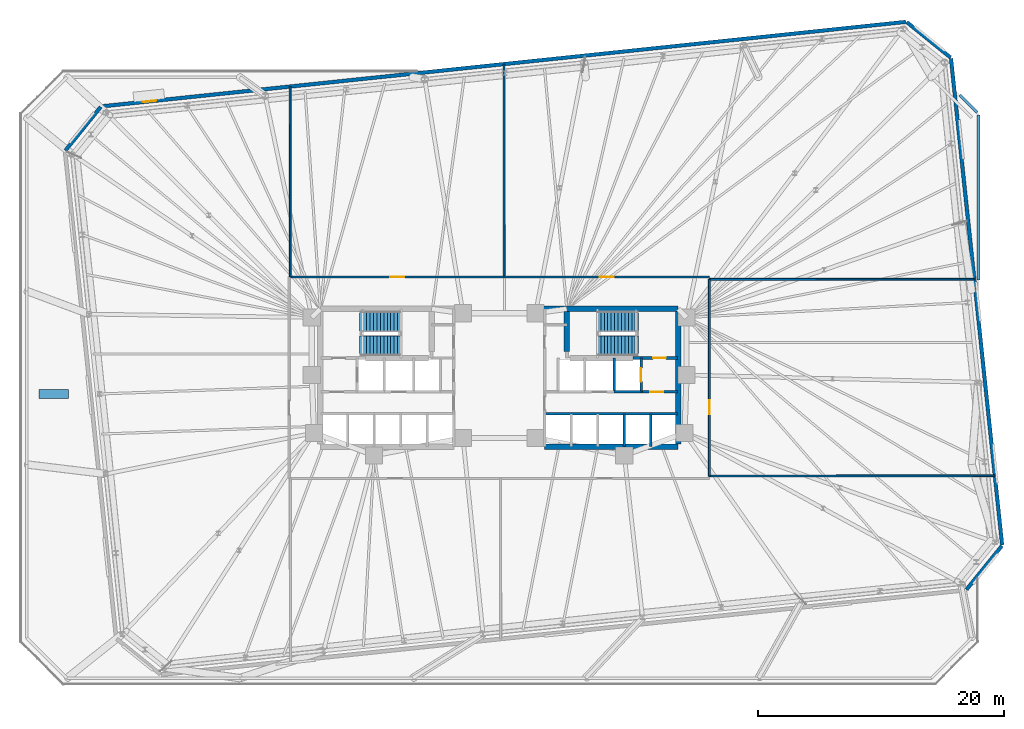
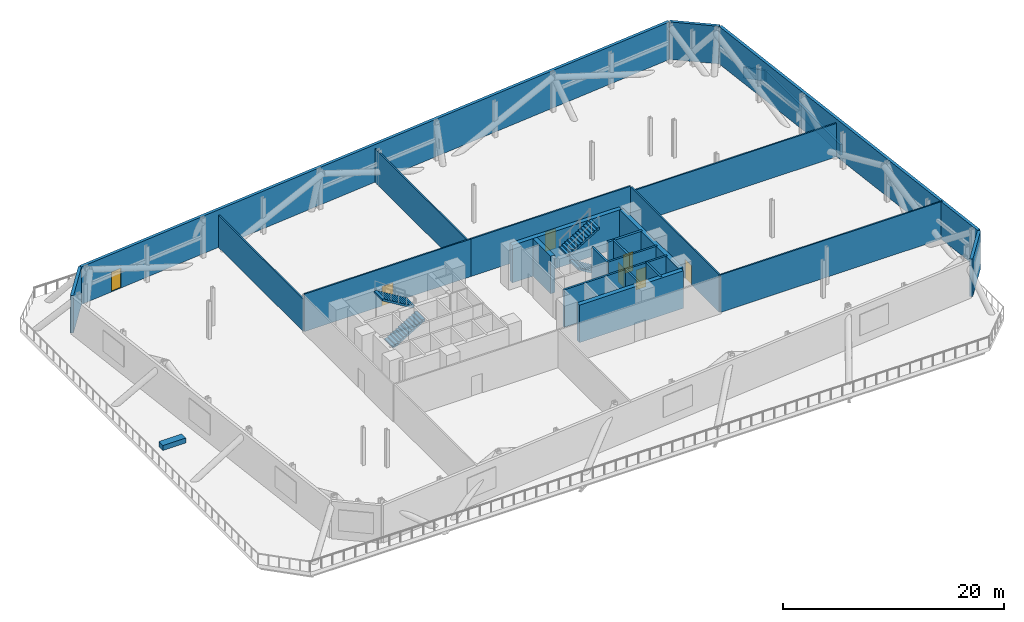
# One storey, part 15 of 17: 26 walls, 7 doors, 4 stair flights, 1 discrete accessory, 7 openings, 2 elements without a shape of their own.
"""IFC4 building model written with IfcOpenShell, lengths in metres."""

from ifc_helpers import new_model, si_unit, direction, frame, frame_2d, origin, origin_2d, place, context, subcontext, project, spatial, polyline, rectangle, outline, extrude, material, layer, layer_set, type_object, element, fill, aggregate, save


model = new_model("IFC4")

# Units and contexts
model_context = context("Model", 3, precision=1e-05, world=origin(), true_north=direction((0.0, 1.0)))
body_context = subcontext(model_context, "Body", "Model", "MODEL_VIEW")
ifc_project = project(units=[si_unit("LENGTHUNIT", "METRE"), si_unit("AREAUNIT", "SQUARE_METRE"), si_unit("VOLUMEUNIT", "CUBIC_METRE"), si_unit("PLANEANGLEUNIT", "RADIAN"), si_unit("MASSUNIT", "GRAM", prefix="KILO")], contexts=[model_context])

# Site, building, storey
site_placement = place(None, origin())
site = spatial("IfcSite", under=ifc_project, at=site_placement, CompositionType="ELEMENT")
building_placement = place(site_placement, origin())
building = spatial("IfcBuilding", under=site, at=building_placement, Name="Menara Jurai Vektor", CompositionType="ELEMENT")
storey_placement = place(building_placement, frame((0.0, 0.0, 78.800048828125)))
storey = spatial("IfcBuildingStorey", under=building, at=storey_placement, Name="L19", CompositionType="ELEMENT", Elevation=78.800048828125)

# Walls
ifc_material_1 = material(Name="Insulated Pale Aluminium Spandrel Wall", Category="aluminium")
ifc_layer_1 = layer(ifc_material_1, 0.300048828125)
ifc_layer_set_1 = layer_set([ifc_layer_1], Name="Insulated Pale Aluminium Spandrel Wall")
wall_type_1 = type_object("IfcWallType", Name="ENV-WALL-EXT300", PredefinedType="STANDARD", material=ifc_layer_set_1)
wall_1_placement = place(storey_placement, frame((38.028076171875, -17.243408203125, 0.0), z_axis=(0.0, 0.0, 1.0), x_axis=(0.629328651904, 0.777139271876, 0.0)))
element("IfcWall", 1, at=wall_1_placement, inside=storey, type_object=wall_type_1, Name="Plant Floor Enclosure Wall L19-02", PredefinedType="STANDARD", context=body_context, shape_type="SweptSolid", body=[
    extrude(rectangle(XDim=4.576904296875, YDim=0.300048828125, at=frame_2d((2.28857421875, 0.0))), origin(), (0.0, 0.0, 1.0), 4.14990234375),
])
wall_2_placement = place(storey_placement, frame((40.93212890625, -13.606689453125, 0.0), z_axis=(0.0, 0.0, 1.0), x_axis=(-0.104531231484, 0.994521604413, 0.0)))
element("IfcWall", 2, at=wall_2_placement, inside=storey, type_object=wall_type_1, Name="Plant Floor Enclosure Wall L19-03", PredefinedType="STANDARD", context=body_context, shape_type="SweptSolid", body=[
    extrude(rectangle(XDim=39.809814453125, YDim=0.300048828125, at=frame_2d((19.90478515625, 0.0))), origin(), (0.0, 0.0, 1.0), 4.14990234375),
])
wall_3_placement = place(storey_placement, frame((36.731201171875, 26.05810546875, 0.0), z_axis=(0.0, 0.0, 1.0), x_axis=(-0.777139271876, 0.629328651904, 0.0)))
element("IfcWall", 3, at=wall_3_placement, inside=storey, type_object=wall_type_1, Name="Plant Floor Enclosure Wall L19-04", PredefinedType="STANDARD", context=body_context, shape_type="SweptSolid", body=[
    extrude(rectangle(XDim=4.576904296875, YDim=0.300048828125, at=frame_2d((2.28857421875, 0.0))), origin(), (0.0, 0.0, 1.0), 4.14990234375),
])

# Wall, opening, door
wall_4_placement = place(storey_placement, frame((33.094482421875, 28.962158203125, 0.0), z_axis=(0.0, 0.0, 1.0), x_axis=(-0.994521682676, -0.104530486878, 0.0)))
wall_4 = element("IfcWall", 4, at=wall_4_placement, inside=storey, type_object=wall_type_1, Name="Plant Floor Enclosure Wall L19-05", PredefinedType="STANDARD", context=body_context, shape_type="SweptSolid", body=[
    extrude(rectangle(XDim=65.81005859375, YDim=0.300048828125, at=frame_2d((32.905029296875, 0.0))), origin(), (0.0, 0.0, 1.0), 4.14990234375),
])
opening_1_placement = place(wall_4_placement, frame((61.35009765625, 0.0, 0.0)))
opening_1 = element("IfcOpeningElement", 5, at=opening_1_placement, cuts=wall_4, Name="Opening TD-L19", PredefinedType="OPENING", context=body_context, shape_type="SweptSolid", body=[
    extrude(rectangle(XDim=1.10009765625, YDim=2.199951171875, at=frame_2d((0.550048828125, 1.10009765625))), frame((0.0, 0.16015625, 0.0), z_axis=(0.0, -1.0, 0.0), x_axis=(1.0, 0.0, 0.0)), (0.0, 0.0, 1.0), 0.320068359375),
])
ifc_material_2 = material(Name="Anodised Aluminium Glazed Terrace Door", Category="aluminium")
door_type_1 = type_object("IfcDoorType", Name="ENV-DOOR-TER110", OperationType="NOTDEFINED", PredefinedType="DOOR", material=ifc_material_2)
door_1_placement = place(opening_1_placement, frame((1.10009765625, 0.0, 0.0), z_axis=(0.0, 0.0, 1.0), x_axis=(-1.0, 0.0, 0.0)))
door_1 = element("IfcDoor", 6, at=door_1_placement, inside=storey, type_object=door_type_1, Name="Spiral Terrace Access Door L19", OperationType="SINGLE_SWING_LEFT", OverallHeight=2.199951171875, OverallWidth=1.10009765625, PredefinedType="DOOR", context=body_context, shape_type="SweptSolid", body=[
    extrude(rectangle(XDim=1.10009765625, YDim=2.199951171875, at=frame_2d((0.550048828125, 1.10009765625))), frame((0.0, 0.02490234375, 0.0), z_axis=(0.0, -1.0, 0.0), x_axis=(1.0, 0.0, 0.0)), (0.0, 0.0, 1.0), 0.050048828125),
])
fill(opening_1, door_1)

# Walls
wall_5_placement = place(storey_placement, frame((-32.427978515625, 22.04345703125, 0.0), z_axis=(0.0, 0.0, 1.0), x_axis=(-0.629328651904, -0.777139271876, 0.0)))
element("IfcWall", 7, at=wall_5_placement, inside=storey, type_object=wall_type_1, Name="Plant Floor Enclosure Wall L19-06", PredefinedType="STANDARD", context=body_context, shape_type="SweptSolid", body=[
    extrude(rectangle(XDim=4.576904296875, YDim=0.300048828125, at=frame_2d((2.28857421875, 0.0))), origin(), (0.0, 0.0, 1.0), 4.14990234375),
])
ifc_material_3 = material(Name="Concrete C40/50", Category="concrete")
ifc_layer_2 = layer(ifc_material_3, 0.219970703125)
ifc_layer_set_2 = layer_set([ifc_layer_2], Name="Concrete C40/50")
wall_type_2 = type_object("IfcWallType", Name="ENV-WALL-PARAPET220", PredefinedType="PARAPET", material=ifc_layer_set_2)
wall_6_placement = place(storey_placement, frame((39.0, 7.9580078125, 0.0), z_axis=(0.0, 0.0, 1.0), x_axis=(0.0, 1.0, 0.0)))
element("IfcWall", 8, at=wall_6_placement, inside=storey, type_object=wall_type_2, Name="Roof Parapet Wall L19-SETBACK-02", PredefinedType="PARAPET", context=body_context, shape_type="SweptSolid", body=[
    extrude(rectangle(XDim=13.4208984375, YDim=0.219970703125, at=frame_2d((6.71044921875, 0.0))), origin(), (0.0, 0.0, 1.0), 1.199951171875),
])
wall_7_placement = place(storey_placement, frame((38.914306640625, 21.585693359375, 0.0), z_axis=(0.0, 0.0, 1.0), x_axis=(-0.707106781187, 0.707106781187, 0.0)))
element("IfcWall", 9, at=wall_7_placement, inside=storey, type_object=wall_type_2, Name="Roof Parapet Wall L19-SETBACK-03", PredefinedType="PARAPET", context=body_context, shape_type="SweptSolid", body=[
    extrude(rectangle(XDim=2.02734375, YDim=0.219970703125, at=frame_2d((1.013671875, 0.0))), origin(), (0.0, 0.0, 1.0), 1.199951171875),
])

# Wall, opening, door
ifc_layer_3 = layer(ifc_material_3, 0.25)
ifc_layer_set_3 = layer_set([ifc_layer_3], Name="Concrete C40/50")
wall_type_3 = type_object("IfcWallType", Name="INT-WALL-CORE-250", PredefinedType="STANDARD", material=ifc_layer_set_3)
wall_8_placement = place(storey_placement, frame((10.89990234375, 1.60009765625, 0.0), z_axis=(0.0, 0.0, 1.0), x_axis=(1.0, 0.0, 0.0)))
wall_8 = element("IfcWall", 10, at=wall_8_placement, inside=storey, type_object=wall_type_3, Name="Interior Wall IW-250 L19", PredefinedType="STANDARD", context=body_context, shape_type="SweptSolid", body=[
    extrude(rectangle(XDim=3.60009765625, YDim=0.25, at=frame_2d((1.800048828125, 0.0))), origin(), (0.0, 0.0, 1.0), 4.14990234375),
])
opening_2_placement = place(wall_8_placement, frame((1.6201171875, 0.0, 0.0)))
opening_2 = element("IfcOpeningElement", 11, at=opening_2_placement, cuts=wall_8, Name="Opening D-L19-ST2", PredefinedType="OPENING", context=body_context, shape_type="SweptSolid", body=[
    extrude(rectangle(XDim=1.050048828125, YDim=2.14990234375, at=frame_2d((0.52490234375, 1.074951171875))), frame((0.0, 0.135009765625, 0.0), z_axis=(0.0, -1.0, 0.0), x_axis=(1.0, 0.0, 0.0)), (0.0, 0.0, 1.0), 0.27001953125),
])
ifc_material_4 = material(Name="Fire-Rated Steel Door", Category="steel")
door_type_2 = type_object("IfcDoorType", Name="DR-STAIR-1050", OperationType="NOTDEFINED", PredefinedType="DOOR", material=ifc_material_4)
door_2_placement = place(opening_2_placement, origin())
door_2 = element("IfcDoor", 12, at=door_2_placement, inside=storey, type_object=door_type_2, Name="Exit Stair ST2 Door L19", OperationType="SINGLE_SWING_LEFT", OverallHeight=2.14990234375, OverallWidth=1.050048828125, PredefinedType="DOOR", context=body_context, shape_type="SweptSolid", body=[
    extrude(rectangle(XDim=1.050048828125, YDim=2.14990234375, at=frame_2d((0.52490234375, 1.074951171875))), frame((0.0, 0.02490234375, 0.0), z_axis=(0.0, -1.0, 0.0), x_axis=(1.0, 0.0, 0.0)), (0.0, 0.0, 1.0), 0.050048828125),
])
fill(opening_2, door_2)

wall_9_placement = place(storey_placement, frame((11.550048828125, -1.14990234375, 0.0), z_axis=(0.0, 0.0, 1.0), x_axis=(0.0, 1.0, 0.0)))
wall_9 = element("IfcWall", 13, at=wall_9_placement, inside=storey, type_object=wall_type_3, Name="Interior Wall IW-250 L19", PredefinedType="STANDARD", context=body_context, shape_type="SweptSolid", body=[
    extrude(rectangle(XDim=2.75, YDim=0.199951171875, at=frame_2d((1.375, 0.0))), origin(), (0.0, 0.0, 1.0), 4.14990234375),
])
opening_3_placement = place(wall_9_placement, frame((0.824951171875, 0.0, 0.0)))
opening_3 = element("IfcOpeningElement", 14, at=opening_3_placement, cuts=wall_9, Name="Opening LD-L19-FL2", PredefinedType="OPENING", context=body_context, shape_type="SweptSolid", body=[
    extrude(rectangle(XDim=1.10009765625, YDim=2.14990234375, at=frame_2d((0.550048828125, 1.074951171875))), frame((0.0, 0.10986328125, 0.0), z_axis=(0.0, -1.0, 0.0), x_axis=(1.0, 0.0, 0.0)), (0.0, 0.0, 1.0), 0.219970703125),
])
ifc_material_5 = material(Name="Stainless Steel Sliding Lift Landing Door", Category="steel")
door_type_3 = type_object("IfcDoorType", Name="DR-LIFT-FIRE-1100", OperationType="NOTDEFINED", PredefinedType="DOOR", material=ifc_material_5)
door_3_placement = place(opening_3_placement, origin())
door_3 = element("IfcDoor", 15, at=door_3_placement, inside=storey, type_object=door_type_3, Name="Lift Landing Door FL2 L19", OperationType="SLIDING_TO_RIGHT", OverallHeight=2.14990234375, OverallWidth=1.10009765625, PredefinedType="DOOR", context=body_context, shape_type="SweptSolid", body=[
    extrude(rectangle(XDim=1.10009765625, YDim=2.14990234375, at=frame_2d((0.550048828125, 1.074951171875))), frame((0.0, 0.02490234375, 0.0), z_axis=(0.0, -1.0, 0.0), x_axis=(1.0, 0.0, 0.0)), (0.0, 0.0, 1.0), 0.050048828125),
])
fill(opening_3, door_3)

# Wall
wall_10_placement = place(storey_placement, frame((9.35009765625, -1.14990234375, 0.0), z_axis=(0.0, 0.0, 1.0), x_axis=(0.0, 1.0, 0.0)))
element("IfcWall", 16, at=wall_10_placement, inside=storey, type_object=wall_type_3, Name="Interior Wall IW-250 L19", PredefinedType="STANDARD", context=body_context, shape_type="SweptSolid", body=[
    extrude(rectangle(XDim=2.75, YDim=0.199951171875, at=frame_2d((1.375, 0.0))), origin(), (0.0, 0.0, 1.0), 4.14990234375),
])

# Wall, opening, door
wall_11_placement = place(storey_placement, frame((11.550048828125, -1.14990234375, 0.0), z_axis=(0.0, 0.0, 1.0), x_axis=(1.0, 0.0, 0.0)))
wall_11 = element("IfcWall", 17, at=wall_11_placement, inside=storey, type_object=wall_type_3, Name="Interior Wall IW-250 L19", PredefinedType="STANDARD", context=body_context, shape_type="SweptSolid", body=[
    extrude(rectangle(XDim=2.949951171875, YDim=0.199951171875, at=frame_2d((1.47509765625, 0.0))), origin(), (0.0, 0.0, 1.0), 4.14990234375),
])
opening_4_placement = place(wall_11_placement, frame((0.75, 0.0, 0.0)))
opening_4 = element("IfcOpeningElement", 18, at=opening_4_placement, cuts=wall_11, Name="Opening D-L19-FFE", PredefinedType="OPENING", context=body_context, shape_type="SweptSolid", body=[
    extrude(rectangle(XDim=1.050048828125, YDim=2.179931640625, at=frame_2d((0.52490234375, 1.08984375))), frame((0.0, 0.10986328125, 0.0), z_axis=(0.0, -1.0, 0.0), x_axis=(1.0, 0.0, 0.0)), (0.0, 0.0, 1.0), 0.219970703125),
])
ifc_material_6 = material(Name="Fire-Rated Timber Door", Category="wood")
door_type_4 = type_object("IfcDoorType", Name="DR-LOBBY-1050", OperationType="NOTDEFINED", PredefinedType="DOOR", material=ifc_material_6)
door_4_placement = place(opening_4_placement, origin())
door_4 = element("IfcDoor", 19, at=door_4_placement, inside=storey, type_object=door_type_4, Name="Fire Lift Lobby Door E L19", OperationType="SINGLE_SWING_LEFT", OverallHeight=2.179931640625, OverallWidth=1.050048828125, PredefinedType="DOOR", context=body_context, shape_type="SweptSolid", body=[
    extrude(rectangle(XDim=1.050048828125, YDim=2.179931640625, at=frame_2d((0.52490234375, 1.08984375))), frame((0.0, 0.02490234375, 0.0), z_axis=(0.0, -1.0, 0.0), x_axis=(1.0, 0.0, 0.0)), (0.0, 0.0, 1.0), 0.050048828125),
])
fill(opening_4, door_4)

# Wall
wall_12_placement = place(storey_placement, frame((9.35009765625, -1.14990234375, 0.0), z_axis=(0.0, 0.0, 1.0), x_axis=(1.0, 0.0, 0.0)))
element("IfcWall", 20, at=wall_12_placement, inside=storey, type_object=wall_type_3, Name="Interior Wall IW-250 L19", PredefinedType="STANDARD", context=body_context, shape_type="SweptSolid", body=[
    extrude(rectangle(XDim=2.199951171875, YDim=0.199951171875, at=frame_2d((1.10009765625, 0.0))), origin(), (0.0, 0.0, 1.0), 4.14990234375),
])

# Wall, opening, door
ifc_material_7 = material(Name="Gypsum Fireboard Partition", Category="gypsum")
ifc_layer_4 = layer(ifc_material_7, 0.14990234375)
ifc_layer_set_4 = layer_set([ifc_layer_4], Name="Gypsum Fireboard Partition")
wall_type_4 = type_object("IfcWallType", Name="INT-WALL-CORR-150", PredefinedType="PARTITIONING", material=ifc_layer_set_4)
wall_13_placement = place(storey_placement, frame((-17.0, 8.199951171875, 0.0), z_axis=(0.0, 0.0, 1.0), x_axis=(1.0, 0.0, 0.0)))
wall_13 = element("IfcWall", 21, at=wall_13_placement, inside=storey, type_object=wall_type_4, Name="Interior Wall IW-150 L19", PredefinedType="PARTITIONING", context=body_context, shape_type="SweptSolid", body=[
    extrude(rectangle(XDim=17.39990234375, YDim=0.14990234375, at=frame_2d((8.699951171875, 0.0))), origin(), (0.0, 0.0, 1.0), 4.14990234375),
])
opening_5_placement = place(wall_13_placement, frame((8.125, 0.0, 0.0)))
opening_5 = element("IfcOpeningElement", 22, at=opening_5_placement, cuts=wall_13, Name="Opening D19-04", PredefinedType="OPENING", context=body_context, shape_type="SweptSolid", body=[
    extrude(rectangle(XDim=1.14990234375, YDim=2.14990234375, at=frame_2d((0.574951171875, 1.074951171875))), frame((0.0, 0.0849609375, 0.0), z_axis=(0.0, -1.0, 0.0), x_axis=(1.0, 0.0, 0.0)), (0.0, 0.0, 1.0), 0.169921875),
])
ifc_material_8 = material(Name="Fire-Rated Steel Plant Door", Category="steel")
door_type_5 = type_object("IfcDoorType", Name="DR-PLANT-1150", OperationType="NOTDEFINED", PredefinedType="DOOR", material=ifc_material_8)
door_5_placement = place(opening_5_placement, origin())
door_5 = element("IfcDoor", 23, at=door_5_placement, inside=storey, type_object=door_type_5, Name="Interior Door D19-04", OperationType="SINGLE_SWING_LEFT", OverallHeight=2.14990234375, OverallWidth=1.14990234375, PredefinedType="DOOR", context=body_context, shape_type="SweptSolid", body=[
    extrude(rectangle(XDim=1.14990234375, YDim=2.14990234375, at=frame_2d((0.574951171875, 1.074951171875))), frame((0.0, 0.02490234375, 0.0), z_axis=(0.0, -1.0, 0.0), x_axis=(1.0, 0.0, 0.0)), (0.0, 0.0, 1.0), 0.050048828125),
])
fill(opening_5, door_5)

wall_14_placement = place(storey_placement, frame((0.39990234375, 8.199951171875, 0.0), z_axis=(0.0, 0.0, 1.0), x_axis=(1.0, 0.0, 0.0)))
wall_14 = element("IfcWall", 24, at=wall_14_placement, inside=storey, type_object=wall_type_4, Name="Interior Wall IW-150 L19", PredefinedType="PARTITIONING", context=body_context, shape_type="SweptSolid", body=[
    extrude(rectangle(XDim=16.7001953125, YDim=0.14990234375, at=frame_2d((8.35009765625, 0.0))), origin(), (0.0, 0.0, 1.0), 4.14990234375),
])
opening_6_placement = place(wall_14_placement, frame((7.77490234375, 0.0, 0.0)))
opening_6 = element("IfcOpeningElement", 25, at=opening_6_placement, cuts=wall_14, Name="Opening D19-05", PredefinedType="OPENING", context=body_context, shape_type="SweptSolid", body=[
    extrude(rectangle(XDim=1.14990234375, YDim=2.14990234375, at=frame_2d((0.574951171875, 1.074951171875))), frame((0.0, 0.0849609375, 0.0), z_axis=(0.0, -1.0, 0.0), x_axis=(1.0, 0.0, 0.0)), (0.0, 0.0, 1.0), 0.169921875),
])
door_6_placement = place(opening_6_placement, origin())
door_6 = element("IfcDoor", 26, at=door_6_placement, inside=storey, type_object=door_type_5, Name="Interior Door D19-05", OperationType="SINGLE_SWING_RIGHT", OverallHeight=2.14990234375, OverallWidth=1.14990234375, PredefinedType="DOOR", context=body_context, shape_type="SweptSolid", body=[
    extrude(rectangle(XDim=1.14990234375, YDim=2.14990234375, at=frame_2d((0.574951171875, 1.074951171875))), frame((0.0, 0.02490234375, 0.0), z_axis=(0.0, -1.0, 0.0), x_axis=(1.0, 0.0, 0.0)), (0.0, 0.0, 1.0), 0.050048828125),
])
fill(opening_6, door_6)

wall_15_placement = place(storey_placement, frame((17.10009765625, -8.0, 0.0), z_axis=(0.0, 0.0, 1.0), x_axis=(0.0, 1.0, 0.0)))
wall_15 = element("IfcWall", 27, at=wall_15_placement, inside=storey, type_object=wall_type_4, Name="Interior Wall IW-150 L19", PredefinedType="PARTITIONING", context=body_context, shape_type="SweptSolid", body=[
    extrude(rectangle(XDim=16.0, YDim=0.14990234375, at=frame_2d((8.0, 0.0))), origin(), (0.0, 0.0, 1.0), 4.14990234375),
])
opening_7_placement = place(wall_15_placement, frame((5.02490234375, 0.0, 0.0)))
opening_7 = element("IfcOpeningElement", 28, at=opening_7_placement, cuts=wall_15, Name="Opening D19-09", PredefinedType="OPENING", context=body_context, shape_type="SweptSolid", body=[
    extrude(rectangle(XDim=1.14990234375, YDim=2.14990234375, at=frame_2d((0.574951171875, 1.074951171875))), frame((0.0, 0.0849609375, 0.0), z_axis=(0.0, -1.0, 0.0), x_axis=(1.0, 0.0, 0.0)), (0.0, 0.0, 1.0), 0.169921875),
])
door_7_placement = place(opening_7_placement, origin())
door_7 = element("IfcDoor", 29, at=door_7_placement, inside=storey, type_object=door_type_5, Name="Interior Door D19-09", OperationType="SINGLE_SWING_RIGHT", OverallHeight=2.14990234375, OverallWidth=1.14990234375, PredefinedType="DOOR", context=body_context, shape_type="SweptSolid", body=[
    extrude(rectangle(XDim=1.14990234375, YDim=2.14990234375, at=frame_2d((0.574951171875, 1.074951171875))), frame((0.0, 0.02490234375, 0.0), z_axis=(0.0, -1.0, 0.0), x_axis=(1.0, 0.0, 0.0)), (0.0, 0.0, 1.0), 0.050048828125),
])
fill(opening_7, door_7)

# Walls
wall_16_placement = place(storey_placement, frame((17.10009765625, -8.0, 0.0), z_axis=(0.0, 0.0, 1.0), x_axis=(0.999999774004, 0.000672304066, 0.0)))
element("IfcWall", 30, at=wall_16_placement, inside=storey, type_object=wall_type_4, Name="Interior Wall IW-150 L19", PredefinedType="PARTITIONING", context=body_context, shape_type="SweptSolid", body=[
    extrude(rectangle(XDim=23.240966796875, YDim=0.14990234375, at=frame_2d((11.62060546875, 0.0))), origin(), (0.0, 0.0, 1.0), 4.14990234375),
])
ifc_layer_5 = layer(ifc_material_7, 0.14990234375)
ifc_layer_set_5 = layer_set([ifc_layer_5], Name="Gypsum Fireboard Partition")
wall_type_5 = type_object("IfcWallType", Name="INT-WALL-CORR-150-H1", PredefinedType="PARTITIONING", material=ifc_layer_set_5)
wall_17_placement = place(storey_placement, frame((0.39990234375, 8.199951171875, 0.0), z_axis=(0.0, 0.0, 1.0), x_axis=(-0.000901916206, 0.999999593273, 0.0)))
element("IfcWall", 31, at=wall_17_placement, inside=storey, type_object=wall_type_5, Name="Interior Wall IW-150 L19", PredefinedType="PARTITIONING", context=body_context, shape_type="SweptSolid", body=[
    extrude(rectangle(XDim=17.32421875, YDim=0.14990234375, at=frame_2d((8.662109375, 0.0))), origin(), (0.0, 0.0, 1.0), 3.699951171875),
])
wall_18_placement = place(storey_placement, frame((17.10009765625, 8.0, 0.0), z_axis=(0.0, 0.0, 1.0), x_axis=(0.999999737373, 0.000724744167, 0.0)))
element("IfcWall", 32, at=wall_18_placement, inside=storey, type_object=wall_type_5, Name="Interior Wall IW-150 L19", PredefinedType="PARTITIONING", context=body_context, shape_type="SweptSolid", body=[
    extrude(rectangle(XDim=21.559326171875, YDim=0.14990234375, at=frame_2d((10.77978515625, 0.0))), origin(), (0.0, 0.0, 1.0), 3.699951171875),
])
ifc_layer_6 = layer(ifc_material_7, 0.14990234375)
ifc_layer_set_6 = layer_set([ifc_layer_6], Name="Gypsum Fireboard Partition")
wall_type_6 = type_object("IfcWallType", Name="INT-WALL-CORR-150-H2", PredefinedType="PARTITIONING", material=ifc_layer_set_6)
wall_19_placement = place(storey_placement, frame((-17.0, 8.199951171875, 0.0), z_axis=(0.0, 0.0, 1.0), x_axis=(-0.001008365776, 0.999999491599, 0.0)))
element("IfcWall", 33, at=wall_19_placement, inside=storey, type_object=wall_type_6, Name="Interior Wall IW-150 L19", PredefinedType="PARTITIONING", context=body_context, shape_type="SweptSolid", body=[
    extrude(rectangle(XDim=15.495361328125, YDim=0.14990234375, at=frame_2d((7.74755859375, 0.0))), origin(), (0.0, 0.0, 1.0), 3.550048828125),
])
ifc_layer_7 = layer(ifc_material_3, 0.199951171875)
ifc_layer_set_7 = layer_set([ifc_layer_7], Name="Concrete C40/50")
wall_type_7 = type_object("IfcWallType", Name="INT-WALL-SHAFT-200", PredefinedType="STANDARD", material=ifc_layer_set_7)
wall_20_placement = place(storey_placement, frame((3.699951171875, -2.949951171875, 0.0), z_axis=(0.0, 0.0, 1.0), x_axis=(1.0, 0.0, 0.0)))
element("IfcWall", 34, at=wall_20_placement, inside=storey, type_object=wall_type_7, Name="Interior Wall IW-200 L19", PredefinedType="STANDARD", context=body_context, shape_type="SweptSolid", body=[
    extrude(rectangle(XDim=10.800048828125, YDim=0.199951171875, at=frame_2d((5.39990234375, 0.0))), origin(), (0.0, 0.0, 1.0), 4.14990234375),
])
for number, where, z_axis, x_axis, name in (
    (35, (12.340087890625, -5.60009765625, 0.0), (0.0, 0.0, 1.0), (0.0, 1.0, 0.0), "Interior Wall IW-200 L19"),
    (36, (10.179931640625, -5.60009765625, 0.0), (0.0, 0.0, 1.0), (0.0, 1.0, 0.0), "Interior Wall IW-200 L19"),
):
    element("IfcWall", number, at=place(storey_placement, frame(where, z_axis=z_axis, x_axis=x_axis)), inside=storey, type_object=wall_type_7, Name=name, PredefinedType="STANDARD", context=body_context, shape_type="SweptSolid", body=[
        extrude(rectangle(XDim=2.650146484375, YDim=0.179931640625, at=frame_2d((1.3251953125, 0.0))), origin(), (0.0, 0.0, 1.0), 4.14990234375),
    ])
ifc_material_9 = material(Name="Concrete C60/75", Category="concrete")
ifc_layer_8 = layer(ifc_material_9, 0.449951171875)
ifc_layer_set_8 = layer_set([ifc_layer_8], Name="Concrete C60/75")
wall_type_8 = type_object("IfcWallType", Name="STR-WALL-CORE450", PredefinedType="SHEAR", material=ifc_layer_set_8)
wall_21_placement = place(storey_placement, frame((3.14990234375, 5.60009765625, 0.0), z_axis=(0.0, 0.0, 1.0), x_axis=(1.0, 0.0, 0.0)))
element("IfcWall", 37, at=wall_21_placement, inside=storey, type_object=wall_type_8, Name="Core Shear Wall CW-E-N L19", PredefinedType="SHEAR", context=body_context, shape_type="SweptSolid", body=[
    extrude(rectangle(XDim=11.41015625, YDim=0.449951171875, at=frame_2d((5.705078125, 0.0))), origin(), (0.0, 0.0, 1.0), 4.14990234375),
])
wall_22_placement = place(storey_placement, frame((3.699951171875, -5.60009765625, 0.0), z_axis=(0.0, 0.0, 1.0), x_axis=(1.0, 0.0, 0.0)))
element("IfcWall", 38, at=wall_22_placement, inside=storey, type_object=wall_type_8, Name="Core Shear Wall CW-E-S L19", PredefinedType="SHEAR", context=body_context, shape_type="SweptSolid", body=[
    extrude(rectangle(XDim=10.860107421875, YDim=0.449951171875, at=frame_2d((5.43017578125, 0.0))), origin(), (0.0, 0.0, 1.0), 4.14990234375),
])
wall_23_placement = place(storey_placement, frame((14.56005859375, -5.375, 0.0), z_axis=(0.0, 0.0, 1.0), x_axis=(0.0, 1.0, 0.0)))
element("IfcWall", 39, at=wall_23_placement, inside=storey, type_object=wall_type_8, Name="Core Shear Wall CW-E-E L19", PredefinedType="SHEAR", context=body_context, shape_type="SweptSolid", body=[
    extrude(rectangle(XDim=10.75, YDim=0.449951171875, at=frame_2d((5.375, 0.0))), origin(), (0.0, 0.0, 1.0), 4.14990234375),
])
wall_24_placement = place(storey_placement, frame((5.5, 2.14990234375, 0.0), z_axis=(0.0, 0.0, 1.0), x_axis=(0.0, 1.0, 0.0)))
element("IfcWall", 40, at=wall_24_placement, inside=storey, type_object=wall_type_8, Name="Core Shear Wall CW-E-ST L19", PredefinedType="SHEAR", context=body_context, shape_type="SweptSolid", body=[
    extrude(rectangle(XDim=3.22509765625, YDim=0.449951171875, at=frame_2d((1.612548828125, 0.0))), origin(), (0.0, 0.0, 1.0), 4.14990234375),
])

# Stair, stair flights
stair_type = type_object("IfcStairType", Name="STAIR-DOGLEG-1500", PredefinedType="HALF_TURN_STAIR", material=ifc_material_3)
stair_1_placement = place(storey_placement, origin())
stair_1 = element("IfcStair", 41, at=stair_1_placement, inside=storey, type_object=stair_type, Name="Protected Exit Stair ST1 L19", PredefinedType="HALF_TURN_STAIR")
stair_flight_type = type_object("IfcStairFlightType", Name="STAIR-FLIGHT-1500", PredefinedType="STRAIGHT", material=ifc_material_3)
stair_flight_1_placement = place(storey_placement, frame((-11.35009765625, 2.64990234375, 0.0), z_axis=(0.0, 0.0, 1.0), x_axis=(1.0, 0.0, 0.0)))
stair_flight_1 = element("IfcStairFlight", 42, at=stair_flight_1_placement, type_object=stair_flight_type, Name="ST1 flight 1", NumberOfRisers=13, NumberOfTreads=12, PredefinedType="STRAIGHT", RiserHeight=0.169231, TreadLength=0.28, context=body_context, shape_type="SweptSolid", body=[
    extrude(outline(polyline([(0.0, 0.0), (0.0, 0.169189453125), (0.280029296875, 0.169189453125), (0.280029296875, 0.33837890625), (0.56005859375, 0.33837890625), (0.56005859375, 0.5078125), (0.840087890625, 0.5078125), (0.840087890625, 0.677001953125), (1.1201171875, 0.677001953125), (1.1201171875, 0.84619140625), (1.39990234375, 0.84619140625), (1.39990234375, 1.015380859375), (1.679931640625, 1.015380859375), (1.679931640625, 1.1845703125), (1.9599609375, 1.1845703125), (1.9599609375, 1.353759765625), (2.239990234375, 1.353759765625), (2.239990234375, 1.523193359375), (2.52001953125, 1.523193359375), (2.52001953125, 1.6923828125), (2.800048828125, 1.6923828125), (2.800048828125, 1.861572265625), (3.080078125, 1.861572265625), (3.080078125, 2.03076171875), (3.360107421875, 2.03076171875), (3.360107421875, 2.199951171875), (3.360107421875, 1.843994140625), (0.30908203125, 0.0), (0.0, 0.0)])), frame((0.0, 0.75, 0.0), z_axis=(0.0, -1.0, 0.0), x_axis=(1.0, 0.0, 0.0)), (0.0, 0.0, 1.0), 1.5),
])
stair_flight_2_placement = place(storey_placement, frame((-7.989990234375, 4.550048828125, 2.199951171875), z_axis=(0.0, 0.0, 1.0), x_axis=(-1.0, 0.0, 0.0)))
stair_flight_2 = element("IfcStairFlight", 43, at=stair_flight_2_placement, type_object=stair_flight_type, Name="ST1 flight 2", NumberOfRisers=13, NumberOfTreads=12, PredefinedType="STRAIGHT", RiserHeight=0.169231, TreadLength=0.28, context=body_context, shape_type="SweptSolid", body=[
    extrude(outline(polyline([(0.0, 0.0), (0.0, 0.169189453125), (0.280029296875, 0.169189453125), (0.280029296875, 0.33837890625), (0.56005859375, 0.33837890625), (0.56005859375, 0.5078125), (0.840087890625, 0.5078125), (0.840087890625, 0.677001953125), (1.1201171875, 0.677001953125), (1.1201171875, 0.84619140625), (1.39990234375, 0.84619140625), (1.39990234375, 1.015380859375), (1.679931640625, 1.015380859375), (1.679931640625, 1.1845703125), (1.9599609375, 1.1845703125), (1.9599609375, 1.353759765625), (2.239990234375, 1.353759765625), (2.239990234375, 1.523193359375), (2.52001953125, 1.523193359375), (2.52001953125, 1.6923828125), (2.800048828125, 1.6923828125), (2.800048828125, 1.861572265625), (3.080078125, 1.861572265625), (3.080078125, 2.03076171875), (3.360107421875, 2.03076171875), (3.360107421875, 2.199951171875), (3.360107421875, 1.843994140625), (0.30908203125, 0.0), (0.0, 0.0)])), frame((0.0, 0.75, 0.0), z_axis=(0.0, -1.0, 0.0), x_axis=(1.0, 0.0, 0.0)), (0.0, 0.0, 1.0), 1.5),
])
aggregate(stair_1, [stair_flight_1, stair_flight_2])

stair_2_placement = place(storey_placement, origin())
stair_2 = element("IfcStair", 44, at=stair_2_placement, inside=storey, type_object=stair_type, Name="Protected Exit Stair ST2 L19", PredefinedType="HALF_TURN_STAIR")
stair_flight_3_placement = place(storey_placement, frame((11.35009765625, 2.64990234375, 0.0), z_axis=(0.0, 0.0, 1.0), x_axis=(-1.0, 0.0, 0.0)))
stair_flight_3 = element("IfcStairFlight", 45, at=stair_flight_3_placement, type_object=stair_flight_type, Name="ST2 flight 1", NumberOfRisers=13, NumberOfTreads=12, PredefinedType="STRAIGHT", RiserHeight=0.169231, TreadLength=0.28, context=body_context, shape_type="SweptSolid", body=[
    extrude(outline(polyline([(0.0, 0.0), (0.0, 0.169189453125), (0.280029296875, 0.169189453125), (0.280029296875, 0.33837890625), (0.56005859375, 0.33837890625), (0.56005859375, 0.5078125), (0.840087890625, 0.5078125), (0.840087890625, 0.677001953125), (1.1201171875, 0.677001953125), (1.1201171875, 0.84619140625), (1.39990234375, 0.84619140625), (1.39990234375, 1.015380859375), (1.679931640625, 1.015380859375), (1.679931640625, 1.1845703125), (1.9599609375, 1.1845703125), (1.9599609375, 1.353759765625), (2.239990234375, 1.353759765625), (2.239990234375, 1.523193359375), (2.52001953125, 1.523193359375), (2.52001953125, 1.6923828125), (2.800048828125, 1.6923828125), (2.800048828125, 1.861572265625), (3.080078125, 1.861572265625), (3.080078125, 2.03076171875), (3.360107421875, 2.03076171875), (3.360107421875, 2.199951171875), (3.360107421875, 1.843994140625), (0.30908203125, 0.0), (0.0, 0.0)])), frame((0.0, 0.75, 0.0), z_axis=(0.0, -1.0, 0.0), x_axis=(1.0, 0.0, 0.0)), (0.0, 0.0, 1.0), 1.5),
])
stair_flight_4_placement = place(storey_placement, frame((7.989990234375, 4.550048828125, 2.199951171875), z_axis=(0.0, 0.0, 1.0), x_axis=(1.0, 0.0, 0.0)))
stair_flight_4 = element("IfcStairFlight", 46, at=stair_flight_4_placement, type_object=stair_flight_type, Name="ST2 flight 2", NumberOfRisers=13, NumberOfTreads=12, PredefinedType="STRAIGHT", RiserHeight=0.169231, TreadLength=0.28, context=body_context, shape_type="SweptSolid", body=[
    extrude(outline(polyline([(0.0, 0.0), (0.0, 0.169189453125), (0.280029296875, 0.169189453125), (0.280029296875, 0.33837890625), (0.56005859375, 0.33837890625), (0.56005859375, 0.5078125), (0.840087890625, 0.5078125), (0.840087890625, 0.677001953125), (1.1201171875, 0.677001953125), (1.1201171875, 0.84619140625), (1.39990234375, 0.84619140625), (1.39990234375, 1.015380859375), (1.679931640625, 1.015380859375), (1.679931640625, 1.1845703125), (1.9599609375, 1.1845703125), (1.9599609375, 1.353759765625), (2.239990234375, 1.353759765625), (2.239990234375, 1.523193359375), (2.52001953125, 1.523193359375), (2.52001953125, 1.6923828125), (2.800048828125, 1.6923828125), (2.800048828125, 1.861572265625), (3.080078125, 1.861572265625), (3.080078125, 2.03076171875), (3.360107421875, 2.03076171875), (3.360107421875, 2.199951171875), (3.360107421875, 1.843994140625), (0.30908203125, 0.0), (0.0, 0.0)])), frame((0.0, 0.75, 0.0), z_axis=(0.0, -1.0, 0.0), x_axis=(1.0, 0.0, 0.0)), (0.0, 0.0, 1.0), 1.5),
])
aggregate(stair_2, [stair_flight_3, stair_flight_4])

# Discrete accessory
ifc_material_10 = material(Name="Concrete C40/50 precast", Category="concrete")
discrete_accessory_type = type_object("IfcDiscreteAccessoryType", Name="ENV-ACC-PLANTER", PredefinedType="USERDEFINED", material=ifc_material_10)
discrete_accessory_placement = place(storey_placement, frame((-36.25830078125, -1.328369140625, 0.0), z_axis=(0.0, 0.0, 1.0), x_axis=(1.0, 0.0, 0.0)))
element("IfcDiscreteAccessory", 47, at=discrete_accessory_placement, inside=storey, type_object=discrete_accessory_type, Name="Spiral Terrace Planter Box L19-STEP", ObjectType="PLANTER", PredefinedType="USERDEFINED", context=body_context, shape_type="SweptSolid", body=[
    extrude(rectangle(XDim=2.39990234375, YDim=0.75, at=origin_2d()), origin(), (0.0, 0.0, 1.0), 0.550048828125),
])

save(model, "model.ifc")
